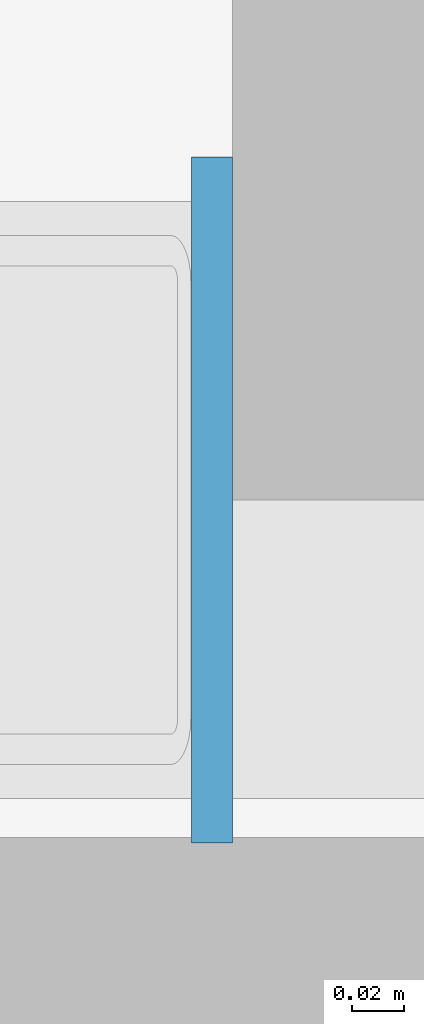
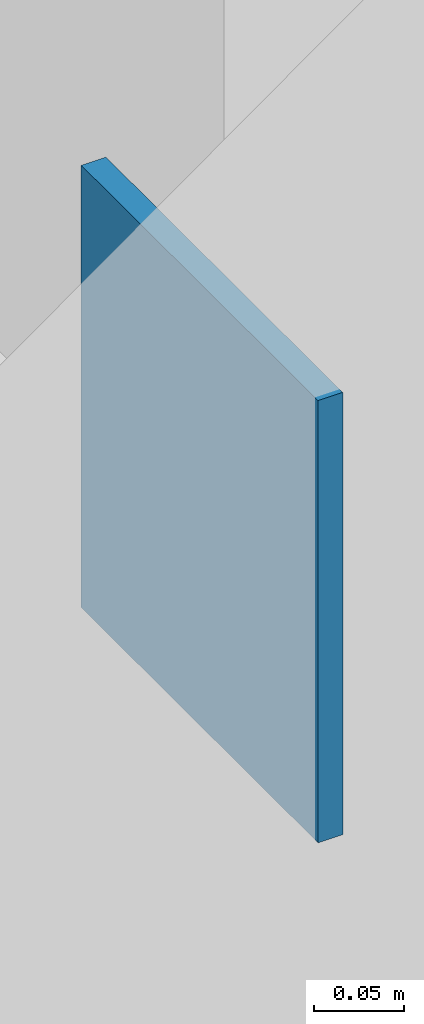
# One storey, part 66 of 127: 1 plate.
"""IFC4 building model written with IfcOpenShell, lengths in metres."""

from ifc_helpers import new_model, si_unit, direction, frame, origin, origin_2d, place, context, subcontext, project, spatial, rectangle, extrude, material, layer, layer_set, type_object, element, save


model = new_model("IFC4")

# Units and contexts
model_context = context("Model", 3, precision=1e-05, world=origin(), true_north=direction((0.0, 1.0)))
body_context = subcontext(model_context, "Body", "Model", "MODEL_VIEW")
ifc_project = project(units=[si_unit("LENGTHUNIT", "METRE"), si_unit("AREAUNIT", "SQUARE_METRE"), si_unit("VOLUMEUNIT", "CUBIC_METRE"), si_unit("PLANEANGLEUNIT", "RADIAN"), si_unit("MASSUNIT", "GRAM", prefix="KILO")], contexts=[model_context])

# Site, building, storey
site_placement = place(None, origin())
site = spatial("IfcSite", under=ifc_project, at=site_placement, CompositionType="ELEMENT")
building_placement = place(site_placement, origin())
building = spatial("IfcBuilding", under=site, at=building_placement, Name="Ljudholm Concert House", CompositionType="ELEMENT")
storey_placement = place(building_placement, frame((0.0, 0.0, 5.39990234375)))
storey = spatial("IfcBuildingStorey", under=building, at=storey_placement, Name="L01", CompositionType="ELEMENT", Elevation=5.39990234375)

# Plate
ifc_material = material(Name="Steel ASTM A36", Category="steel")
ifc_layer = layer(ifc_material, 0.015869140625)
ifc_layer_set = layer_set([ifc_layer], Name="Steel ASTM A36")
plate_type = type_object("IfcPlateType", Name="EMBED PLATE 16x263x300", PredefinedType="SHEET", material=ifc_layer_set)
plate_placement = place(storey_placement, frame((118.192138671875, 4.0, 2.51416015625), z_axis=(0.0, 0.0, 1.0), x_axis=(1.0, 0.0, 0.0)))
element("IfcPlate", 1, at=plate_placement, inside=storey, type_object=plate_type, Name="Brace embed plate", PredefinedType="SHEET", context=body_context, shape_type="SweptSolid", body=[
    extrude(rectangle(XDim=0.015869140625, YDim=0.26318359375, at=origin_2d()), origin(), (0.0, 0.0, 1.0), 0.300048828125),
])

save(model, "model.ifc")
